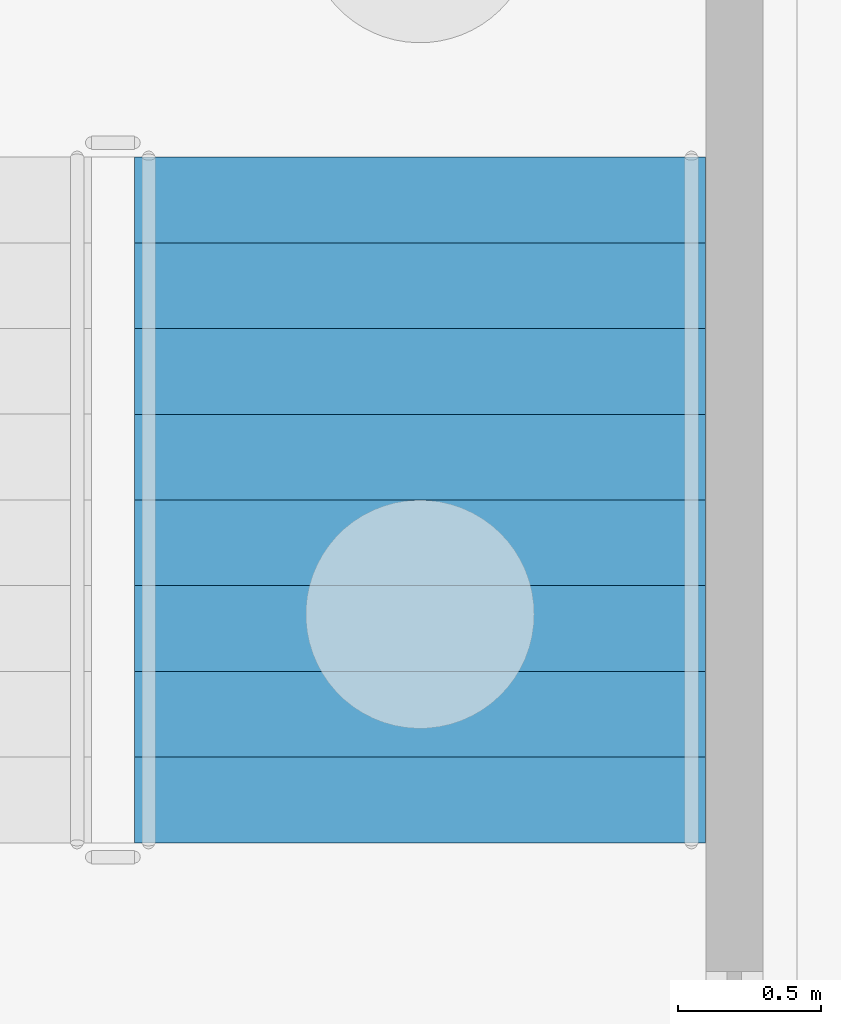
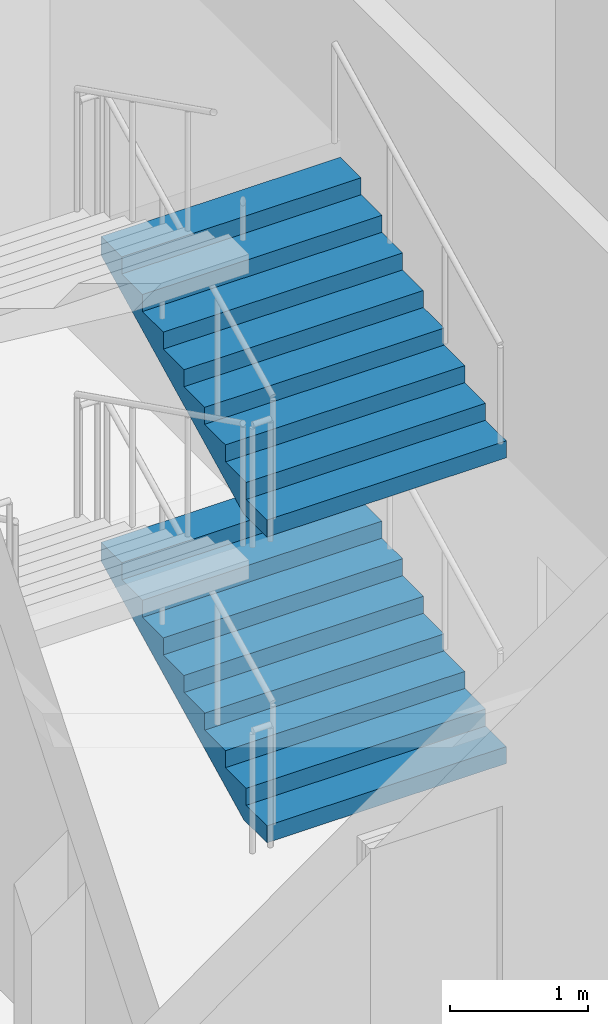
# One storey, part 85 of 129: 2 stair flights, 1 element without a shape of its own.
"""IFC4 building model written with IfcOpenShell, lengths in metres."""

from ifc_helpers import new_model, si_unit, direction, frame, origin, place, context, subcontext, project, spatial, faceted_brep, material, type_object, element, aggregate, save


model = new_model("IFC4")

# Units and contexts
model_context = context("Model", 3, precision=1e-05, world=origin(), true_north=direction((0.0, 1.0)))
body_context = subcontext(model_context, "Body", "Model", "MODEL_VIEW")
ifc_project = project(units=[si_unit("LENGTHUNIT", "METRE"), si_unit("AREAUNIT", "SQUARE_METRE"), si_unit("VOLUMEUNIT", "CUBIC_METRE"), si_unit("PLANEANGLEUNIT", "RADIAN"), si_unit("MASSUNIT", "GRAM", prefix="KILO")], contexts=[model_context])

# Site, building, storey
site_placement = place(None, origin())
site = spatial("IfcSite", under=ifc_project, at=site_placement, CompositionType="ELEMENT")
building_placement = place(site_placement, origin())
building = spatial("IfcBuilding", under=site, at=building_placement, Name="Kiln Court Media Centre", CompositionType="ELEMENT")
storey_placement = place(building_placement, origin())
storey = spatial("IfcBuildingStorey", under=building, at=storey_placement, Name="L00", CompositionType="ELEMENT", Elevation=0.0)

# Stair, stair flights
ifc_material_1 = material(Name="Concrete C40/50", Category="concrete")
stair_type = type_object("IfcStairType", Name="Concrete C40/50 dog-leg stair 2000 wide, 150 riser", PredefinedType="HALF_TURN_STAIR", material=ifc_material_1)
stair_placement = place(storey_placement, origin())
stair = element("IfcStair", 1, at=stair_placement, inside=storey, type_object=stair_type, Name="ST-13 L00", PredefinedType="HALF_TURN_STAIR")
ifc_material_2 = material(Name="Concrete C40/50", Category="concrete")
stair_flight_type = type_object("IfcStairFlightType", Name="Concrete C40/50 stair flight 2000 wide, 150 riser, 300 going", PredefinedType="STRAIGHT", material=ifc_material_2)
stair_flight_1_placement = place(storey_placement, frame((121.199951171875, 36.39990234375, 0.0), z_axis=(0.0, 0.0, 1.0), x_axis=(0.0, 1.0, 0.0)))
stair_flight_1 = element("IfcStairFlight", 2, at=stair_flight_1_placement, type_object=stair_flight_type, Name="L00-ST-5012 flight 5048", NumberOfRisers=9, NumberOfTreads=8, PredefinedType="STRAIGHT", RiserHeight=0.15, TreadLength=0.3, context=body_context, shape_type="Brep", body=[
    faceted_brep([(0.335205078125, -1.0, 0.0), (2.39990234375, -1.0, 1.032470703125), (2.39990234375, -1.0, 1.199951171875), (2.10009765625, -1.0, 1.199951171875), (2.10009765625, -1.0, 1.050048828125), (1.800048828125, -1.0, 1.050048828125), (1.800048828125, -1.0, 0.89990234375), (1.5, -1.0, 0.89990234375), (1.5, -1.0, 0.75), (1.199951171875, -1.0, 0.75), (1.199951171875, -1.0, 0.60009765625), (0.89990234375, -1.0, 0.60009765625), (0.89990234375, -1.0, 0.449951171875), (0.60009765625, -1.0, 0.449951171875), (0.60009765625, -1.0, 0.300048828125), (0.300048828125, -1.0, 0.300048828125), (0.300048828125, -1.0, 0.14990234375), (0.0, -1.0, 0.14990234375), (0.0, -1.0, 0.0), (0.0, 1.0, 0.0), (0.0, 1.0, 0.14990234375), (0.300048828125, 1.0, 0.14990234375), (0.300048828125, 1.0, 0.300048828125), (0.60009765625, 1.0, 0.300048828125), (0.60009765625, 1.0, 0.449951171875), (0.89990234375, 1.0, 0.449951171875), (0.89990234375, 1.0, 0.60009765625), (1.199951171875, 1.0, 0.60009765625), (1.199951171875, 1.0, 0.75), (1.5, 1.0, 0.75), (1.5, 1.0, 0.89990234375), (1.800048828125, 1.0, 0.89990234375), (1.800048828125, 1.0, 1.050048828125), (2.10009765625, 1.0, 1.050048828125), (2.10009765625, 1.0, 1.199951171875), (2.39990234375, 1.0, 1.199951171875), (2.39990234375, 1.0, 1.032470703125), (0.335205078125, 1.0, 0.0), (2.39990234375, 0.10009765625, 1.032470703125), (0.335205078125, 0.10009765625, 0.0), (2.39990234375, 0.080078125, 1.032470703125), (0.335205078125, 0.080078125, 0.0), (2.39990234375, 0.06005859375, 1.032470703125), (0.335205078125, 0.06005859375, 0.0), (2.39990234375, 0.0400390625, 1.032470703125), (0.335205078125, 0.0400390625, 0.0), (2.39990234375, 0.02001953125, 1.032470703125), (0.335205078125, 0.02001953125, 0.0), (2.39990234375, 0.0, 1.032470703125), (0.335205078125, 0.0, 0.0), (2.39990234375, -0.02001953125, 1.032470703125), (0.335205078125, -0.02001953125, 0.0), (2.39990234375, -0.0400390625, 1.032470703125), (0.335205078125, -0.0400390625, 0.0), (2.39990234375, -0.06005859375, 1.032470703125), (0.335205078125, -0.06005859375, 0.0), (2.39990234375, -0.080078125, 1.032470703125), (0.335205078125, -0.080078125, 0.0), (2.39990234375, -0.10009765625, 1.032470703125), (0.335205078125, -0.10009765625, 0.0), (2.39990234375, 0.10009765625, 1.199951171875), (2.39990234375, 0.080078125, 1.199951171875), (2.39990234375, 0.06005859375, 1.199951171875), (2.39990234375, 0.0400390625, 1.199951171875), (2.39990234375, 0.02001953125, 1.199951171875), (2.39990234375, 0.0, 1.199951171875), (2.39990234375, -0.02001953125, 1.199951171875), (2.39990234375, -0.0400390625, 1.199951171875), (2.39990234375, -0.06005859375, 1.199951171875), (2.39990234375, -0.080078125, 1.199951171875), (2.39990234375, -0.10009765625, 1.199951171875), (2.10009765625, 0.10009765625, 1.199951171875), (2.10009765625, 0.080078125, 1.199951171875), (2.10009765625, 0.06005859375, 1.199951171875), (2.10009765625, 0.0400390625, 1.199951171875), (2.10009765625, 0.02001953125, 1.199951171875), (2.10009765625, 0.0, 1.199951171875), (2.10009765625, -0.02001953125, 1.199951171875), (2.10009765625, -0.0400390625, 1.199951171875), (2.10009765625, -0.06005859375, 1.199951171875), (2.10009765625, -0.080078125, 1.199951171875), (2.10009765625, -0.10009765625, 1.199951171875), (2.10009765625, 0.10009765625, 1.050048828125), (2.10009765625, 0.080078125, 1.050048828125), (2.10009765625, 0.06005859375, 1.050048828125), (2.10009765625, 0.0400390625, 1.050048828125), (2.10009765625, 0.02001953125, 1.050048828125), (2.10009765625, 0.0, 1.050048828125), (2.10009765625, -0.02001953125, 1.050048828125), (2.10009765625, -0.0400390625, 1.050048828125), (2.10009765625, -0.06005859375, 1.050048828125), (2.10009765625, -0.080078125, 1.050048828125), (2.10009765625, -0.10009765625, 1.050048828125), (1.800048828125, 0.10009765625, 1.050048828125), (1.800048828125, 0.080078125, 1.050048828125), (1.800048828125, 0.06005859375, 1.050048828125), (1.800048828125, 0.0400390625, 1.050048828125), (1.800048828125, 0.02001953125, 1.050048828125), (1.800048828125, 0.0, 1.050048828125), (1.800048828125, -0.02001953125, 1.050048828125), (1.800048828125, -0.0400390625, 1.050048828125), (1.800048828125, -0.06005859375, 1.050048828125), (1.800048828125, -0.080078125, 1.050048828125), (1.800048828125, -0.10009765625, 1.050048828125), (1.800048828125, 0.10009765625, 0.89990234375), (1.800048828125, 0.080078125, 0.89990234375), (1.800048828125, 0.06005859375, 0.89990234375), (1.800048828125, 0.0400390625, 0.89990234375), (1.800048828125, 0.02001953125, 0.89990234375), (1.800048828125, 0.0, 0.89990234375), (1.800048828125, -0.02001953125, 0.89990234375), (1.800048828125, -0.0400390625, 0.89990234375), (1.800048828125, -0.06005859375, 0.89990234375), (1.800048828125, -0.080078125, 0.89990234375), (1.800048828125, -0.10009765625, 0.89990234375), (1.5, 0.10009765625, 0.89990234375), (1.5, 0.080078125, 0.89990234375), (1.5, 0.06005859375, 0.89990234375), (1.5, 0.0400390625, 0.89990234375), (1.5, 0.02001953125, 0.89990234375), (1.5, 0.0, 0.89990234375), (1.5, -0.02001953125, 0.89990234375), (1.5, -0.0400390625, 0.89990234375), (1.5, -0.06005859375, 0.89990234375), (1.5, -0.080078125, 0.89990234375), (1.5, -0.10009765625, 0.89990234375), (1.5, 0.10009765625, 0.75), (1.5, 0.080078125, 0.75), (1.5, 0.06005859375, 0.75), (1.5, 0.0400390625, 0.75), (1.5, 0.02001953125, 0.75), (1.5, 0.0, 0.75), (1.5, -0.02001953125, 0.75), (1.5, -0.0400390625, 0.75), (1.5, -0.06005859375, 0.75), (1.5, -0.080078125, 0.75), (1.5, -0.10009765625, 0.75), (1.199951171875, 0.10009765625, 0.75), (1.199951171875, 0.080078125, 0.75), (1.199951171875, 0.06005859375, 0.75), (1.199951171875, 0.0400390625, 0.75), (1.199951171875, 0.02001953125, 0.75), (1.199951171875, 0.0, 0.75), (1.199951171875, -0.02001953125, 0.75), (1.199951171875, -0.0400390625, 0.75), (1.199951171875, -0.06005859375, 0.75), (1.199951171875, -0.080078125, 0.75), (1.199951171875, -0.10009765625, 0.75), (1.199951171875, 0.10009765625, 0.60009765625), (1.199951171875, 0.080078125, 0.60009765625), (1.199951171875, 0.06005859375, 0.60009765625), (1.199951171875, 0.0400390625, 0.60009765625), (1.199951171875, 0.02001953125, 0.60009765625), (1.199951171875, 0.0, 0.60009765625), (1.199951171875, -0.02001953125, 0.60009765625), (1.199951171875, -0.0400390625, 0.60009765625), (1.199951171875, -0.06005859375, 0.60009765625), (1.199951171875, -0.080078125, 0.60009765625), (1.199951171875, -0.10009765625, 0.60009765625), (0.89990234375, 0.10009765625, 0.60009765625), (0.89990234375, 0.080078125, 0.60009765625), (0.89990234375, 0.06005859375, 0.60009765625), (0.89990234375, 0.0400390625, 0.60009765625), (0.89990234375, 0.02001953125, 0.60009765625), (0.89990234375, 0.0, 0.60009765625), (0.89990234375, -0.02001953125, 0.60009765625), (0.89990234375, -0.0400390625, 0.60009765625), (0.89990234375, -0.06005859375, 0.60009765625), (0.89990234375, -0.080078125, 0.60009765625), (0.89990234375, -0.10009765625, 0.60009765625), (0.89990234375, 0.10009765625, 0.449951171875), (0.89990234375, 0.080078125, 0.449951171875), (0.89990234375, 0.06005859375, 0.449951171875), (0.89990234375, 0.0400390625, 0.449951171875), (0.89990234375, 0.02001953125, 0.449951171875), (0.89990234375, 0.0, 0.449951171875), (0.89990234375, -0.02001953125, 0.449951171875), (0.89990234375, -0.0400390625, 0.449951171875), (0.89990234375, -0.06005859375, 0.449951171875), (0.89990234375, -0.080078125, 0.449951171875), (0.89990234375, -0.10009765625, 0.449951171875), (0.60009765625, 0.10009765625, 0.449951171875), (0.60009765625, 0.080078125, 0.449951171875), (0.60009765625, 0.06005859375, 0.449951171875), (0.60009765625, 0.0400390625, 0.449951171875), (0.60009765625, 0.02001953125, 0.449951171875), (0.60009765625, 0.0, 0.449951171875), (0.60009765625, -0.02001953125, 0.449951171875), (0.60009765625, -0.0400390625, 0.449951171875), (0.60009765625, -0.06005859375, 0.449951171875), (0.60009765625, -0.080078125, 0.449951171875), (0.60009765625, -0.10009765625, 0.449951171875), (0.60009765625, 0.10009765625, 0.300048828125), (0.60009765625, 0.080078125, 0.300048828125), (0.60009765625, 0.06005859375, 0.300048828125), (0.60009765625, 0.0400390625, 0.300048828125), (0.60009765625, 0.02001953125, 0.300048828125), (0.60009765625, 0.0, 0.300048828125), (0.60009765625, -0.02001953125, 0.300048828125), (0.60009765625, -0.0400390625, 0.300048828125), (0.60009765625, -0.06005859375, 0.300048828125), (0.60009765625, -0.080078125, 0.300048828125), (0.60009765625, -0.10009765625, 0.300048828125), (0.300048828125, 0.10009765625, 0.300048828125), (0.300048828125, 0.080078125, 0.300048828125), (0.300048828125, 0.06005859375, 0.300048828125), (0.300048828125, 0.0400390625, 0.300048828125), (0.300048828125, 0.02001953125, 0.300048828125), (0.300048828125, 0.0, 0.300048828125), (0.300048828125, -0.02001953125, 0.300048828125), (0.300048828125, -0.0400390625, 0.300048828125), (0.300048828125, -0.06005859375, 0.300048828125), (0.300048828125, -0.080078125, 0.300048828125), (0.300048828125, -0.10009765625, 0.300048828125), (0.300048828125, 0.10009765625, 0.14990234375), (0.300048828125, 0.080078125, 0.14990234375), (0.300048828125, 0.06005859375, 0.14990234375), (0.300048828125, 0.0400390625, 0.14990234375), (0.300048828125, 0.02001953125, 0.14990234375), (0.300048828125, 0.0, 0.14990234375), (0.300048828125, -0.02001953125, 0.14990234375), (0.300048828125, -0.0400390625, 0.14990234375), (0.300048828125, -0.06005859375, 0.14990234375), (0.300048828125, -0.080078125, 0.14990234375), (0.300048828125, -0.10009765625, 0.14990234375), (0.0, 0.10009765625, 0.14990234375), (0.0, 0.080078125, 0.14990234375), (0.0, 0.06005859375, 0.14990234375), (0.0, 0.0400390625, 0.14990234375), (0.0, 0.02001953125, 0.14990234375), (0.0, 0.0, 0.14990234375), (0.0, -0.02001953125, 0.14990234375), (0.0, -0.0400390625, 0.14990234375), (0.0, -0.06005859375, 0.14990234375), (0.0, -0.080078125, 0.14990234375), (0.0, -0.10009765625, 0.14990234375), (0.0, 0.10009765625, 0.0), (0.0, 0.080078125, 0.0), (0.0, 0.06005859375, 0.0), (0.0, 0.0400390625, 0.0), (0.0, 0.02001953125, 0.0), (0.0, 0.0, 0.0), (0.0, -0.02001953125, 0.0), (0.0, -0.0400390625, 0.0), (0.0, -0.06005859375, 0.0), (0.0, -0.080078125, 0.0), (0.0, -0.10009765625, 0.0)], [[[0, 1, 2, 3, 4, 5, 6, 7, 8, 9, 10, 11, 12, 13, 14, 15, 16, 17, 18]], [[19, 20, 21, 22, 23, 24, 25, 26, 27, 28, 29, 30, 31, 32, 33, 34, 35, 36, 37]], [[37, 36, 38, 39]], [[39, 38, 40, 41]], [[41, 40, 42, 43]], [[43, 42, 44, 45]], [[45, 44, 46, 47]], [[47, 46, 48, 49]], [[49, 48, 50, 51]], [[51, 50, 52, 53]], [[53, 52, 54, 55]], [[55, 54, 56, 57]], [[57, 56, 58, 59]], [[59, 58, 1, 0]], [[36, 35, 60, 38]], [[38, 60, 61, 40]], [[40, 61, 62, 42]], [[42, 62, 63, 44]], [[44, 63, 64, 46]], [[46, 64, 65, 48]], [[48, 65, 66, 50]], [[50, 66, 67, 52]], [[52, 67, 68, 54]], [[54, 68, 69, 56]], [[56, 69, 70, 58]], [[58, 70, 2, 1]], [[35, 34, 71, 60]], [[60, 71, 72, 61]], [[61, 72, 73, 62]], [[62, 73, 74, 63]], [[63, 74, 75, 64]], [[64, 75, 76, 65]], [[65, 76, 77, 66]], [[66, 77, 78, 67]], [[67, 78, 79, 68]], [[68, 79, 80, 69]], [[69, 80, 81, 70]], [[70, 81, 3, 2]], [[34, 33, 82, 71]], [[71, 82, 83, 72]], [[72, 83, 84, 73]], [[73, 84, 85, 74]], [[74, 85, 86, 75]], [[75, 86, 87, 76]], [[76, 87, 88, 77]], [[77, 88, 89, 78]], [[78, 89, 90, 79]], [[79, 90, 91, 80]], [[80, 91, 92, 81]], [[81, 92, 4, 3]], [[33, 32, 93, 82]], [[82, 93, 94, 83]], [[83, 94, 95, 84]], [[84, 95, 96, 85]], [[85, 96, 97, 86]], [[86, 97, 98, 87]], [[87, 98, 99, 88]], [[88, 99, 100, 89]], [[89, 100, 101, 90]], [[90, 101, 102, 91]], [[91, 102, 103, 92]], [[92, 103, 5, 4]], [[32, 31, 104, 93]], [[93, 104, 105, 94]], [[94, 105, 106, 95]], [[95, 106, 107, 96]], [[96, 107, 108, 97]], [[97, 108, 109, 98]], [[98, 109, 110, 99]], [[99, 110, 111, 100]], [[100, 111, 112, 101]], [[101, 112, 113, 102]], [[102, 113, 114, 103]], [[103, 114, 6, 5]], [[31, 30, 115, 104]], [[104, 115, 116, 105]], [[105, 116, 117, 106]], [[106, 117, 118, 107]], [[107, 118, 119, 108]], [[108, 119, 120, 109]], [[109, 120, 121, 110]], [[110, 121, 122, 111]], [[111, 122, 123, 112]], [[112, 123, 124, 113]], [[113, 124, 125, 114]], [[114, 125, 7, 6]], [[30, 29, 126, 115]], [[115, 126, 127, 116]], [[116, 127, 128, 117]], [[117, 128, 129, 118]], [[118, 129, 130, 119]], [[119, 130, 131, 120]], [[120, 131, 132, 121]], [[121, 132, 133, 122]], [[122, 133, 134, 123]], [[123, 134, 135, 124]], [[124, 135, 136, 125]], [[125, 136, 8, 7]], [[29, 28, 137, 126]], [[126, 137, 138, 127]], [[127, 138, 139, 128]], [[128, 139, 140, 129]], [[129, 140, 141, 130]], [[130, 141, 142, 131]], [[131, 142, 143, 132]], [[132, 143, 144, 133]], [[133, 144, 145, 134]], [[134, 145, 146, 135]], [[135, 146, 147, 136]], [[136, 147, 9, 8]], [[28, 27, 148, 137]], [[137, 148, 149, 138]], [[138, 149, 150, 139]], [[139, 150, 151, 140]], [[140, 151, 152, 141]], [[141, 152, 153, 142]], [[142, 153, 154, 143]], [[143, 154, 155, 144]], [[144, 155, 156, 145]], [[145, 156, 157, 146]], [[146, 157, 158, 147]], [[147, 158, 10, 9]], [[27, 26, 159, 148]], [[148, 159, 160, 149]], [[149, 160, 161, 150]], [[150, 161, 162, 151]], [[151, 162, 163, 152]], [[152, 163, 164, 153]], [[153, 164, 165, 154]], [[154, 165, 166, 155]], [[155, 166, 167, 156]], [[156, 167, 168, 157]], [[157, 168, 169, 158]], [[158, 169, 11, 10]], [[26, 25, 170, 159]], [[159, 170, 171, 160]], [[160, 171, 172, 161]], [[161, 172, 173, 162]], [[162, 173, 174, 163]], [[163, 174, 175, 164]], [[164, 175, 176, 165]], [[165, 176, 177, 166]], [[166, 177, 178, 167]], [[167, 178, 179, 168]], [[168, 179, 180, 169]], [[169, 180, 12, 11]], [[25, 24, 181, 170]], [[170, 181, 182, 171]], [[171, 182, 183, 172]], [[172, 183, 184, 173]], [[173, 184, 185, 174]], [[174, 185, 186, 175]], [[175, 186, 187, 176]], [[176, 187, 188, 177]], [[177, 188, 189, 178]], [[178, 189, 190, 179]], [[179, 190, 191, 180]], [[180, 191, 13, 12]], [[24, 23, 192, 181]], [[181, 192, 193, 182]], [[182, 193, 194, 183]], [[183, 194, 195, 184]], [[184, 195, 196, 185]], [[185, 196, 197, 186]], [[186, 197, 198, 187]], [[187, 198, 199, 188]], [[188, 199, 200, 189]], [[189, 200, 201, 190]], [[190, 201, 202, 191]], [[191, 202, 14, 13]], [[23, 22, 203, 192]], [[192, 203, 204, 193]], [[193, 204, 205, 194]], [[194, 205, 206, 195]], [[195, 206, 207, 196]], [[196, 207, 208, 197]], [[197, 208, 209, 198]], [[198, 209, 210, 199]], [[199, 210, 211, 200]], [[200, 211, 212, 201]], [[201, 212, 213, 202]], [[202, 213, 15, 14]], [[22, 21, 214, 203]], [[203, 214, 215, 204]], [[204, 215, 216, 205]], [[205, 216, 217, 206]], [[206, 217, 218, 207]], [[207, 218, 219, 208]], [[208, 219, 220, 209]], [[209, 220, 221, 210]], [[210, 221, 222, 211]], [[211, 222, 223, 212]], [[212, 223, 224, 213]], [[213, 224, 16, 15]], [[21, 20, 225, 214]], [[214, 225, 226, 215]], [[215, 226, 227, 216]], [[216, 227, 228, 217]], [[217, 228, 229, 218]], [[218, 229, 230, 219]], [[219, 230, 231, 220]], [[220, 231, 232, 221]], [[221, 232, 233, 222]], [[222, 233, 234, 223]], [[223, 234, 235, 224]], [[224, 235, 17, 16]], [[20, 19, 236, 225]], [[225, 236, 237, 226]], [[226, 237, 238, 227]], [[227, 238, 239, 228]], [[228, 239, 240, 229]], [[229, 240, 241, 230]], [[230, 241, 242, 231]], [[231, 242, 243, 232]], [[232, 243, 244, 233]], [[233, 244, 245, 234]], [[234, 245, 246, 235]], [[235, 246, 18, 17]], [[19, 37, 39, 236]], [[236, 39, 41, 237]], [[237, 41, 43, 238]], [[238, 43, 45, 239]], [[239, 45, 47, 240]], [[240, 47, 49, 241]], [[241, 49, 51, 242]], [[242, 51, 53, 243]], [[243, 53, 55, 244]], [[244, 55, 57, 245]], [[245, 57, 59, 246]], [[246, 59, 0, 18]]]),
])
stair_flight_2_placement = place(storey_placement, frame((121.199951171875, 36.39990234375, 2.699951171875), z_axis=(0.0, 0.0, 1.0), x_axis=(0.0, 1.0, 0.0)))
stair_flight_2 = element("IfcStairFlight", 3, at=stair_flight_2_placement, type_object=stair_flight_type, Name="L00-ST-5012 flight 5050", NumberOfRisers=9, NumberOfTreads=8, PredefinedType="STRAIGHT", RiserHeight=0.15, TreadLength=0.3, context=body_context, shape_type="Brep", body=[
    faceted_brep([(0.335205078125, -1.0, 0.0), (2.39990234375, -1.0, 1.032470703125), (2.39990234375, -1.0, 1.199951171875), (2.10009765625, -1.0, 1.199951171875), (2.10009765625, -1.0, 1.050048828125), (1.800048828125, -1.0, 1.050048828125), (1.800048828125, -1.0, 0.89990234375), (1.5, -1.0, 0.89990234375), (1.5, -1.0, 0.75), (1.199951171875, -1.0, 0.75), (1.199951171875, -1.0, 0.60009765625), (0.89990234375, -1.0, 0.60009765625), (0.89990234375, -1.0, 0.449951171875), (0.60009765625, -1.0, 0.449951171875), (0.60009765625, -1.0, 0.300048828125), (0.300048828125, -1.0, 0.300048828125), (0.300048828125, -1.0, 0.14990234375), (0.0, -1.0, 0.14990234375), (0.0, -1.0, 0.0), (0.0, 1.0, 0.0), (0.0, 1.0, 0.14990234375), (0.300048828125, 1.0, 0.14990234375), (0.300048828125, 1.0, 0.300048828125), (0.60009765625, 1.0, 0.300048828125), (0.60009765625, 1.0, 0.449951171875), (0.89990234375, 1.0, 0.449951171875), (0.89990234375, 1.0, 0.60009765625), (1.199951171875, 1.0, 0.60009765625), (1.199951171875, 1.0, 0.75), (1.5, 1.0, 0.75), (1.5, 1.0, 0.89990234375), (1.800048828125, 1.0, 0.89990234375), (1.800048828125, 1.0, 1.050048828125), (2.10009765625, 1.0, 1.050048828125), (2.10009765625, 1.0, 1.199951171875), (2.39990234375, 1.0, 1.199951171875), (2.39990234375, 1.0, 1.032470703125), (0.335205078125, 1.0, 0.0), (2.39990234375, 0.10009765625, 1.032470703125), (0.335205078125, 0.10009765625, 0.0), (2.39990234375, 0.080078125, 1.032470703125), (0.335205078125, 0.080078125, 0.0), (2.39990234375, 0.06005859375, 1.032470703125), (0.335205078125, 0.06005859375, 0.0), (2.39990234375, 0.0400390625, 1.032470703125), (0.335205078125, 0.0400390625, 0.0), (2.39990234375, 0.02001953125, 1.032470703125), (0.335205078125, 0.02001953125, 0.0), (2.39990234375, 0.0, 1.032470703125), (0.335205078125, 0.0, 0.0), (2.39990234375, -0.02001953125, 1.032470703125), (0.335205078125, -0.02001953125, 0.0), (2.39990234375, -0.0400390625, 1.032470703125), (0.335205078125, -0.0400390625, 0.0), (2.39990234375, -0.06005859375, 1.032470703125), (0.335205078125, -0.06005859375, 0.0), (2.39990234375, -0.080078125, 1.032470703125), (0.335205078125, -0.080078125, 0.0), (2.39990234375, -0.10009765625, 1.032470703125), (0.335205078125, -0.10009765625, 0.0), (2.39990234375, 0.10009765625, 1.199951171875), (2.39990234375, 0.080078125, 1.199951171875), (2.39990234375, 0.06005859375, 1.199951171875), (2.39990234375, 0.0400390625, 1.199951171875), (2.39990234375, 0.02001953125, 1.199951171875), (2.39990234375, 0.0, 1.199951171875), (2.39990234375, -0.02001953125, 1.199951171875), (2.39990234375, -0.0400390625, 1.199951171875), (2.39990234375, -0.06005859375, 1.199951171875), (2.39990234375, -0.080078125, 1.199951171875), (2.39990234375, -0.10009765625, 1.199951171875), (2.10009765625, 0.10009765625, 1.199951171875), (2.10009765625, 0.080078125, 1.199951171875), (2.10009765625, 0.06005859375, 1.199951171875), (2.10009765625, 0.0400390625, 1.199951171875), (2.10009765625, 0.02001953125, 1.199951171875), (2.10009765625, 0.0, 1.199951171875), (2.10009765625, -0.02001953125, 1.199951171875), (2.10009765625, -0.0400390625, 1.199951171875), (2.10009765625, -0.06005859375, 1.199951171875), (2.10009765625, -0.080078125, 1.199951171875), (2.10009765625, -0.10009765625, 1.199951171875), (2.10009765625, 0.10009765625, 1.050048828125), (2.10009765625, 0.080078125, 1.050048828125), (2.10009765625, 0.06005859375, 1.050048828125), (2.10009765625, 0.0400390625, 1.050048828125), (2.10009765625, 0.02001953125, 1.050048828125), (2.10009765625, 0.0, 1.050048828125), (2.10009765625, -0.02001953125, 1.050048828125), (2.10009765625, -0.0400390625, 1.050048828125), (2.10009765625, -0.06005859375, 1.050048828125), (2.10009765625, -0.080078125, 1.050048828125), (2.10009765625, -0.10009765625, 1.050048828125), (1.800048828125, 0.10009765625, 1.050048828125), (1.800048828125, 0.080078125, 1.050048828125), (1.800048828125, 0.06005859375, 1.050048828125), (1.800048828125, 0.0400390625, 1.050048828125), (1.800048828125, 0.02001953125, 1.050048828125), (1.800048828125, 0.0, 1.050048828125), (1.800048828125, -0.02001953125, 1.050048828125), (1.800048828125, -0.0400390625, 1.050048828125), (1.800048828125, -0.06005859375, 1.050048828125), (1.800048828125, -0.080078125, 1.050048828125), (1.800048828125, -0.10009765625, 1.050048828125), (1.800048828125, 0.10009765625, 0.89990234375), (1.800048828125, 0.080078125, 0.89990234375), (1.800048828125, 0.06005859375, 0.89990234375), (1.800048828125, 0.0400390625, 0.89990234375), (1.800048828125, 0.02001953125, 0.89990234375), (1.800048828125, 0.0, 0.89990234375), (1.800048828125, -0.02001953125, 0.89990234375), (1.800048828125, -0.0400390625, 0.89990234375), (1.800048828125, -0.06005859375, 0.89990234375), (1.800048828125, -0.080078125, 0.89990234375), (1.800048828125, -0.10009765625, 0.89990234375), (1.5, 0.10009765625, 0.89990234375), (1.5, 0.080078125, 0.89990234375), (1.5, 0.06005859375, 0.89990234375), (1.5, 0.0400390625, 0.89990234375), (1.5, 0.02001953125, 0.89990234375), (1.5, 0.0, 0.89990234375), (1.5, -0.02001953125, 0.89990234375), (1.5, -0.0400390625, 0.89990234375), (1.5, -0.06005859375, 0.89990234375), (1.5, -0.080078125, 0.89990234375), (1.5, -0.10009765625, 0.89990234375), (1.5, 0.10009765625, 0.75), (1.5, 0.080078125, 0.75), (1.5, 0.06005859375, 0.75), (1.5, 0.0400390625, 0.75), (1.5, 0.02001953125, 0.75), (1.5, 0.0, 0.75), (1.5, -0.02001953125, 0.75), (1.5, -0.0400390625, 0.75), (1.5, -0.06005859375, 0.75), (1.5, -0.080078125, 0.75), (1.5, -0.10009765625, 0.75), (1.199951171875, 0.10009765625, 0.75), (1.199951171875, 0.080078125, 0.75), (1.199951171875, 0.06005859375, 0.75), (1.199951171875, 0.0400390625, 0.75), (1.199951171875, 0.02001953125, 0.75), (1.199951171875, 0.0, 0.75), (1.199951171875, -0.02001953125, 0.75), (1.199951171875, -0.0400390625, 0.75), (1.199951171875, -0.06005859375, 0.75), (1.199951171875, -0.080078125, 0.75), (1.199951171875, -0.10009765625, 0.75), (1.199951171875, 0.10009765625, 0.60009765625), (1.199951171875, 0.080078125, 0.60009765625), (1.199951171875, 0.06005859375, 0.60009765625), (1.199951171875, 0.0400390625, 0.60009765625), (1.199951171875, 0.02001953125, 0.60009765625), (1.199951171875, 0.0, 0.60009765625), (1.199951171875, -0.02001953125, 0.60009765625), (1.199951171875, -0.0400390625, 0.60009765625), (1.199951171875, -0.06005859375, 0.60009765625), (1.199951171875, -0.080078125, 0.60009765625), (1.199951171875, -0.10009765625, 0.60009765625), (0.89990234375, 0.10009765625, 0.60009765625), (0.89990234375, 0.080078125, 0.60009765625), (0.89990234375, 0.06005859375, 0.60009765625), (0.89990234375, 0.0400390625, 0.60009765625), (0.89990234375, 0.02001953125, 0.60009765625), (0.89990234375, 0.0, 0.60009765625), (0.89990234375, -0.02001953125, 0.60009765625), (0.89990234375, -0.0400390625, 0.60009765625), (0.89990234375, -0.06005859375, 0.60009765625), (0.89990234375, -0.080078125, 0.60009765625), (0.89990234375, -0.10009765625, 0.60009765625), (0.89990234375, 0.10009765625, 0.449951171875), (0.89990234375, 0.080078125, 0.449951171875), (0.89990234375, 0.06005859375, 0.449951171875), (0.89990234375, 0.0400390625, 0.449951171875), (0.89990234375, 0.02001953125, 0.449951171875), (0.89990234375, 0.0, 0.449951171875), (0.89990234375, -0.02001953125, 0.449951171875), (0.89990234375, -0.0400390625, 0.449951171875), (0.89990234375, -0.06005859375, 0.449951171875), (0.89990234375, -0.080078125, 0.449951171875), (0.89990234375, -0.10009765625, 0.449951171875), (0.60009765625, 0.10009765625, 0.449951171875), (0.60009765625, 0.080078125, 0.449951171875), (0.60009765625, 0.06005859375, 0.449951171875), (0.60009765625, 0.0400390625, 0.449951171875), (0.60009765625, 0.02001953125, 0.449951171875), (0.60009765625, 0.0, 0.449951171875), (0.60009765625, -0.02001953125, 0.449951171875), (0.60009765625, -0.0400390625, 0.449951171875), (0.60009765625, -0.06005859375, 0.449951171875), (0.60009765625, -0.080078125, 0.449951171875), (0.60009765625, -0.10009765625, 0.449951171875), (0.60009765625, 0.10009765625, 0.300048828125), (0.60009765625, 0.080078125, 0.300048828125), (0.60009765625, 0.06005859375, 0.300048828125), (0.60009765625, 0.0400390625, 0.300048828125), (0.60009765625, 0.02001953125, 0.300048828125), (0.60009765625, 0.0, 0.300048828125), (0.60009765625, -0.02001953125, 0.300048828125), (0.60009765625, -0.0400390625, 0.300048828125), (0.60009765625, -0.06005859375, 0.300048828125), (0.60009765625, -0.080078125, 0.300048828125), (0.60009765625, -0.10009765625, 0.300048828125), (0.300048828125, 0.10009765625, 0.300048828125), (0.300048828125, 0.080078125, 0.300048828125), (0.300048828125, 0.06005859375, 0.300048828125), (0.300048828125, 0.0400390625, 0.300048828125), (0.300048828125, 0.02001953125, 0.300048828125), (0.300048828125, 0.0, 0.300048828125), (0.300048828125, -0.02001953125, 0.300048828125), (0.300048828125, -0.0400390625, 0.300048828125), (0.300048828125, -0.06005859375, 0.300048828125), (0.300048828125, -0.080078125, 0.300048828125), (0.300048828125, -0.10009765625, 0.300048828125), (0.300048828125, 0.10009765625, 0.14990234375), (0.300048828125, 0.080078125, 0.14990234375), (0.300048828125, 0.06005859375, 0.14990234375), (0.300048828125, 0.0400390625, 0.14990234375), (0.300048828125, 0.02001953125, 0.14990234375), (0.300048828125, 0.0, 0.14990234375), (0.300048828125, -0.02001953125, 0.14990234375), (0.300048828125, -0.0400390625, 0.14990234375), (0.300048828125, -0.06005859375, 0.14990234375), (0.300048828125, -0.080078125, 0.14990234375), (0.300048828125, -0.10009765625, 0.14990234375), (0.0, 0.10009765625, 0.14990234375), (0.0, 0.080078125, 0.14990234375), (0.0, 0.06005859375, 0.14990234375), (0.0, 0.0400390625, 0.14990234375), (0.0, 0.02001953125, 0.14990234375), (0.0, 0.0, 0.14990234375), (0.0, -0.02001953125, 0.14990234375), (0.0, -0.0400390625, 0.14990234375), (0.0, -0.06005859375, 0.14990234375), (0.0, -0.080078125, 0.14990234375), (0.0, -0.10009765625, 0.14990234375), (0.0, 0.10009765625, 0.0), (0.0, 0.080078125, 0.0), (0.0, 0.06005859375, 0.0), (0.0, 0.0400390625, 0.0), (0.0, 0.02001953125, 0.0), (0.0, 0.0, 0.0), (0.0, -0.02001953125, 0.0), (0.0, -0.0400390625, 0.0), (0.0, -0.06005859375, 0.0), (0.0, -0.080078125, 0.0), (0.0, -0.10009765625, 0.0)], [[[0, 1, 2, 3, 4, 5, 6, 7, 8, 9, 10, 11, 12, 13, 14, 15, 16, 17, 18]], [[19, 20, 21, 22, 23, 24, 25, 26, 27, 28, 29, 30, 31, 32, 33, 34, 35, 36, 37]], [[37, 36, 38, 39]], [[39, 38, 40, 41]], [[41, 40, 42, 43]], [[43, 42, 44, 45]], [[45, 44, 46, 47]], [[47, 46, 48, 49]], [[49, 48, 50, 51]], [[51, 50, 52, 53]], [[53, 52, 54, 55]], [[55, 54, 56, 57]], [[57, 56, 58, 59]], [[59, 58, 1, 0]], [[36, 35, 60, 38]], [[38, 60, 61, 40]], [[40, 61, 62, 42]], [[42, 62, 63, 44]], [[44, 63, 64, 46]], [[46, 64, 65, 48]], [[48, 65, 66, 50]], [[50, 66, 67, 52]], [[52, 67, 68, 54]], [[54, 68, 69, 56]], [[56, 69, 70, 58]], [[58, 70, 2, 1]], [[35, 34, 71, 60]], [[60, 71, 72, 61]], [[61, 72, 73, 62]], [[62, 73, 74, 63]], [[63, 74, 75, 64]], [[64, 75, 76, 65]], [[65, 76, 77, 66]], [[66, 77, 78, 67]], [[67, 78, 79, 68]], [[68, 79, 80, 69]], [[69, 80, 81, 70]], [[70, 81, 3, 2]], [[34, 33, 82, 71]], [[71, 82, 83, 72]], [[72, 83, 84, 73]], [[73, 84, 85, 74]], [[74, 85, 86, 75]], [[75, 86, 87, 76]], [[76, 87, 88, 77]], [[77, 88, 89, 78]], [[78, 89, 90, 79]], [[79, 90, 91, 80]], [[80, 91, 92, 81]], [[81, 92, 4, 3]], [[33, 32, 93, 82]], [[82, 93, 94, 83]], [[83, 94, 95, 84]], [[84, 95, 96, 85]], [[85, 96, 97, 86]], [[86, 97, 98, 87]], [[87, 98, 99, 88]], [[88, 99, 100, 89]], [[89, 100, 101, 90]], [[90, 101, 102, 91]], [[91, 102, 103, 92]], [[92, 103, 5, 4]], [[32, 31, 104, 93]], [[93, 104, 105, 94]], [[94, 105, 106, 95]], [[95, 106, 107, 96]], [[96, 107, 108, 97]], [[97, 108, 109, 98]], [[98, 109, 110, 99]], [[99, 110, 111, 100]], [[100, 111, 112, 101]], [[101, 112, 113, 102]], [[102, 113, 114, 103]], [[103, 114, 6, 5]], [[31, 30, 115, 104]], [[104, 115, 116, 105]], [[105, 116, 117, 106]], [[106, 117, 118, 107]], [[107, 118, 119, 108]], [[108, 119, 120, 109]], [[109, 120, 121, 110]], [[110, 121, 122, 111]], [[111, 122, 123, 112]], [[112, 123, 124, 113]], [[113, 124, 125, 114]], [[114, 125, 7, 6]], [[30, 29, 126, 115]], [[115, 126, 127, 116]], [[116, 127, 128, 117]], [[117, 128, 129, 118]], [[118, 129, 130, 119]], [[119, 130, 131, 120]], [[120, 131, 132, 121]], [[121, 132, 133, 122]], [[122, 133, 134, 123]], [[123, 134, 135, 124]], [[124, 135, 136, 125]], [[125, 136, 8, 7]], [[29, 28, 137, 126]], [[126, 137, 138, 127]], [[127, 138, 139, 128]], [[128, 139, 140, 129]], [[129, 140, 141, 130]], [[130, 141, 142, 131]], [[131, 142, 143, 132]], [[132, 143, 144, 133]], [[133, 144, 145, 134]], [[134, 145, 146, 135]], [[135, 146, 147, 136]], [[136, 147, 9, 8]], [[28, 27, 148, 137]], [[137, 148, 149, 138]], [[138, 149, 150, 139]], [[139, 150, 151, 140]], [[140, 151, 152, 141]], [[141, 152, 153, 142]], [[142, 153, 154, 143]], [[143, 154, 155, 144]], [[144, 155, 156, 145]], [[145, 156, 157, 146]], [[146, 157, 158, 147]], [[147, 158, 10, 9]], [[27, 26, 159, 148]], [[148, 159, 160, 149]], [[149, 160, 161, 150]], [[150, 161, 162, 151]], [[151, 162, 163, 152]], [[152, 163, 164, 153]], [[153, 164, 165, 154]], [[154, 165, 166, 155]], [[155, 166, 167, 156]], [[156, 167, 168, 157]], [[157, 168, 169, 158]], [[158, 169, 11, 10]], [[26, 25, 170, 159]], [[159, 170, 171, 160]], [[160, 171, 172, 161]], [[161, 172, 173, 162]], [[162, 173, 174, 163]], [[163, 174, 175, 164]], [[164, 175, 176, 165]], [[165, 176, 177, 166]], [[166, 177, 178, 167]], [[167, 178, 179, 168]], [[168, 179, 180, 169]], [[169, 180, 12, 11]], [[25, 24, 181, 170]], [[170, 181, 182, 171]], [[171, 182, 183, 172]], [[172, 183, 184, 173]], [[173, 184, 185, 174]], [[174, 185, 186, 175]], [[175, 186, 187, 176]], [[176, 187, 188, 177]], [[177, 188, 189, 178]], [[178, 189, 190, 179]], [[179, 190, 191, 180]], [[180, 191, 13, 12]], [[24, 23, 192, 181]], [[181, 192, 193, 182]], [[182, 193, 194, 183]], [[183, 194, 195, 184]], [[184, 195, 196, 185]], [[185, 196, 197, 186]], [[186, 197, 198, 187]], [[187, 198, 199, 188]], [[188, 199, 200, 189]], [[189, 200, 201, 190]], [[190, 201, 202, 191]], [[191, 202, 14, 13]], [[23, 22, 203, 192]], [[192, 203, 204, 193]], [[193, 204, 205, 194]], [[194, 205, 206, 195]], [[195, 206, 207, 196]], [[196, 207, 208, 197]], [[197, 208, 209, 198]], [[198, 209, 210, 199]], [[199, 210, 211, 200]], [[200, 211, 212, 201]], [[201, 212, 213, 202]], [[202, 213, 15, 14]], [[22, 21, 214, 203]], [[203, 214, 215, 204]], [[204, 215, 216, 205]], [[205, 216, 217, 206]], [[206, 217, 218, 207]], [[207, 218, 219, 208]], [[208, 219, 220, 209]], [[209, 220, 221, 210]], [[210, 221, 222, 211]], [[211, 222, 223, 212]], [[212, 223, 224, 213]], [[213, 224, 16, 15]], [[21, 20, 225, 214]], [[214, 225, 226, 215]], [[215, 226, 227, 216]], [[216, 227, 228, 217]], [[217, 228, 229, 218]], [[218, 229, 230, 219]], [[219, 230, 231, 220]], [[220, 231, 232, 221]], [[221, 232, 233, 222]], [[222, 233, 234, 223]], [[223, 234, 235, 224]], [[224, 235, 17, 16]], [[20, 19, 236, 225]], [[225, 236, 237, 226]], [[226, 237, 238, 227]], [[227, 238, 239, 228]], [[228, 239, 240, 229]], [[229, 240, 241, 230]], [[230, 241, 242, 231]], [[231, 242, 243, 232]], [[232, 243, 244, 233]], [[233, 244, 245, 234]], [[234, 245, 246, 235]], [[235, 246, 18, 17]], [[19, 37, 39, 236]], [[236, 39, 41, 237]], [[237, 41, 43, 238]], [[238, 43, 45, 239]], [[239, 45, 47, 240]], [[240, 47, 49, 241]], [[241, 49, 51, 242]], [[242, 51, 53, 243]], [[243, 53, 55, 244]], [[244, 55, 57, 245]], [[245, 57, 59, 246]], [[246, 59, 0, 18]]]),
])
aggregate(stair, [stair_flight_1, stair_flight_2])

save(model, "model.ifc")
